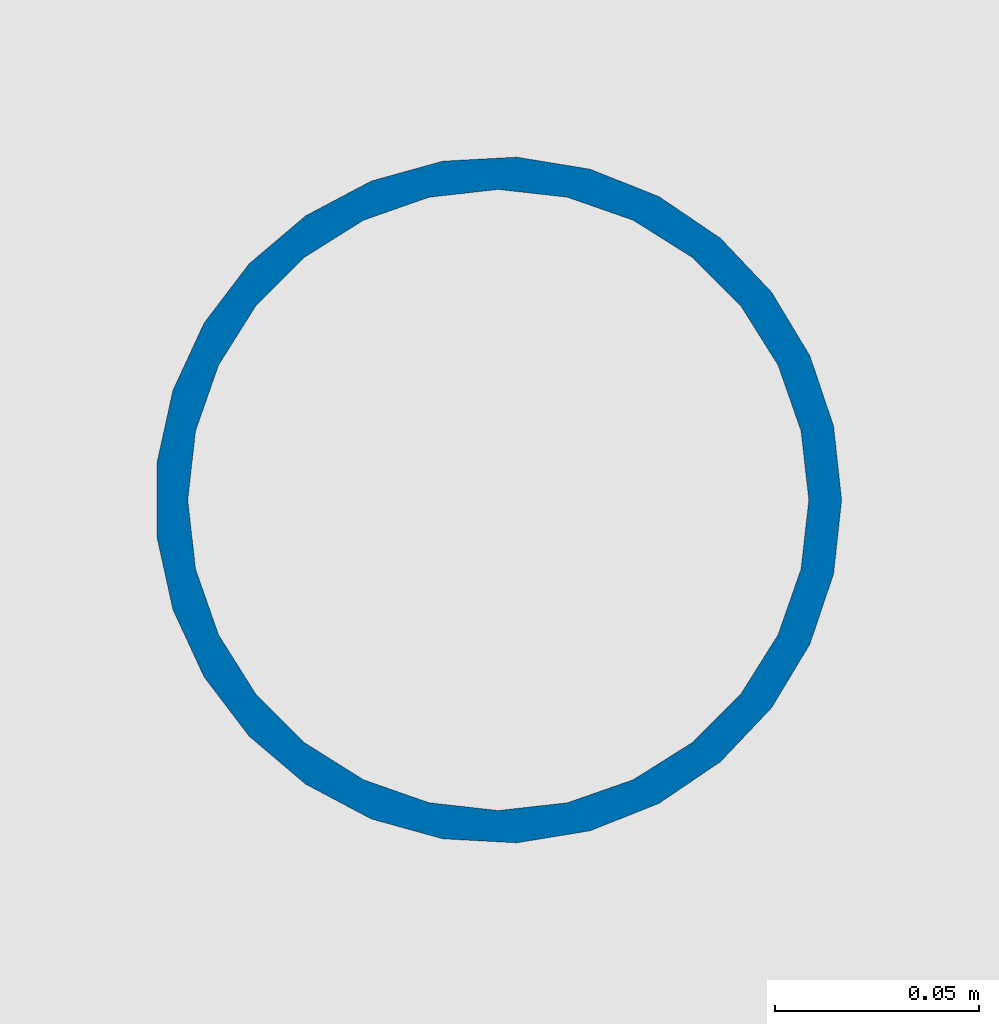
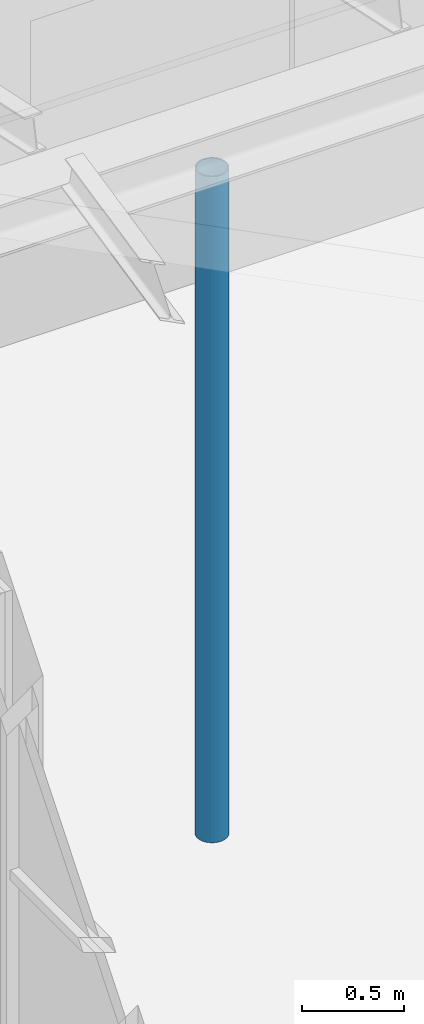
# One storey, part 11 of 138: 1 column.
"""IFC4 building model written with IfcOpenShell, lengths in metres."""

import ifcopenshell
import ifcopenshell.guid

model = None  # the IFC model being written
_history = None  # IfcOwnerHistory: only IFC2X3 demands one
_inside = {}  # id of a spatial element -> (the spatial element, [elements in it])
_under = {}  # id of a project, library or spatial element -> (it, [spatial elements below it])
_declared = {}  # id of a project -> (the project, [libraries it declares])
_typed = {}  # id of a type object -> (the type object, [elements of that type])
_made_of = {}  # id of a material, layer set ... -> (it, [elements and type objects made of it])


def new_model(schema):
    """Start an empty IFC model of exactly this schema.

    Asked for "IFC4X3", IfcOpenShell would pick the latest addendum, in which some entities
    have other attributes; the version numbers below select the first issue.
    IFC2X3 requires an IfcOwnerHistory on every rooted entity: one is made here for all.
    """
    global model, _history
    if schema == "IFC4X3":
        model = ifcopenshell.file(schema_version=(4, 3, 0, 0))
    else:
        model = ifcopenshell.file(schema=schema)
    _inside.clear()
    _under.clear()
    _declared.clear()
    _typed.clear()
    _made_of.clear()
    _history = None
    if model.schema == "IFC2X3":
        org = make("IfcOrganization", Name="unknown")
        user = make(
            "IfcPersonAndOrganization",
            ThePerson=make("IfcPerson", FamilyName="unknown"),
            TheOrganization=org,
        )
        app = make(
            "IfcApplication",
            ApplicationDeveloper=org,
            Version="unknown",
            ApplicationFullName="unknown",
            ApplicationIdentifier="unknown",
        )
        _history = make(
            "IfcOwnerHistory",
            OwningUser=user,
            OwningApplication=app,
            ChangeAction="ADDED",
            CreationDate=0,
        )
    return model


def make(cls, **values):
    """One entity of the class cls with the attributes given. An attribute that is None is left unset."""
    return model.create_entity(
        cls, **{name: value for name, value in values.items() if value is not None}
    )


def rooted(cls, **values):
    """An entity with a GlobalId (a new one), such as an element, a storey or a relation."""
    return make(cls, GlobalId=ifcopenshell.guid.new(), OwnerHistory=_history, **values)


def si_unit(unit_type, name, prefix=None):
    """IfcSIUnit, for example si_unit("LENGTHUNIT", "METRE", prefix="MILLI")."""
    return make("IfcSIUnit", UnitType=unit_type, Prefix=prefix, Name=name)


def assignment(units):
    """IfcUnitAssignment: the units of a project."""
    return None if units is None else make("IfcUnitAssignment", Units=units)


def point(xyz):
    """IfcCartesianPoint."""
    return None if xyz is None else make("IfcCartesianPoint", Coordinates=xyz)


def direction(xyz):
    """IfcDirection."""
    return None if xyz is None else make("IfcDirection", DirectionRatios=xyz)


def frame(location, z_axis=None, x_axis=None):
    """IfcAxis2Placement3D, a coordinate frame: its origin and axes. An axis left out is left unset."""
    return make(
        "IfcAxis2Placement3D",
        Location=point(location),
        Axis=direction(z_axis),
        RefDirection=direction(x_axis),
    )


def frame_2d(location, x_axis=None):
    """IfcAxis2Placement2D, a coordinate frame in the plane: its origin and x axis."""
    return make(
        "IfcAxis2Placement2D", Location=point(location), RefDirection=direction(x_axis)
    )


def origin():
    """The frame at (0, 0, 0) with its axes left unset."""
    return frame((0.0, 0.0, 0.0))


def origin_2d():
    """The frame at (0, 0) in the plane with its x axis left unset."""
    return frame_2d((0.0, 0.0))


def place(relative_to, where):
    """IfcLocalPlacement: puts the frame where relative to a parent placement (None: the world)."""
    return make(
        "IfcLocalPlacement", PlacementRelTo=relative_to, RelativePlacement=where
    )


def context(
    kind, dimensions, precision=None, world=None, true_north=None, identifier=None
):
    """IfcGeometricRepresentationContext, for example the 3D "Model" context."""
    return make(
        "IfcGeometricRepresentationContext",
        ContextIdentifier=identifier,
        ContextType=kind,
        CoordinateSpaceDimension=dimensions,
        Precision=precision,
        WorldCoordinateSystem=world,
        TrueNorth=true_north,
    )


def subcontext(parent, identifier, kind, view, scale=None):
    """IfcGeometricRepresentationSubContext, for example "Body" below "Model"."""
    return make(
        "IfcGeometricRepresentationSubContext",
        ContextIdentifier=identifier,
        ContextType=kind,
        ParentContext=parent,
        TargetScale=scale,
        TargetView=view,
    )


def project(units=None, contexts=None):
    """IfcProject with its units and contexts."""
    return rooted(
        "IfcProject",
        Name="project",
        RepresentationContexts=contexts,
        UnitsInContext=assignment(units),
    )


def spatial(cls, under=None, at=None, **own):
    """A site, building, storey or space (cls), placed at a placement, below another one or the project."""
    s = rooted(cls, ObjectPlacement=at, **own)
    if under is not None:
        _under.setdefault(under.id(), (under, []))[1].append(s)
    return s


def profile(cls, at=None, kind="AREA", **sizes):
    """A parametric profile (cls). Its sizes go by their IFC names, for example OverallWidth=200.0."""
    return make(cls, ProfileType=kind, Position=at, **sizes)


def hollow_circle(**sizes):
    """IfcCircleHollowProfileDef."""
    return profile("IfcCircleHollowProfileDef", **sizes)


def extrude(swept, where, along, depth):
    """IfcExtrudedAreaSolid: the profile swept, set in the frame where, extruded along a direction by depth."""
    return make(
        "IfcExtrudedAreaSolid",
        SweptArea=swept,
        Position=where,
        ExtrudedDirection=direction(along),
        Depth=depth,
    )


def shape(context_of_items, identifier, shape_type, items):
    """IfcShapeRepresentation: the items that make up one representation, for example the "Body"."""
    return make(
        "IfcShapeRepresentation",
        ContextOfItems=context_of_items,
        RepresentationIdentifier=identifier,
        RepresentationType=shape_type,
        Items=items,
    )


def material(Name=None, Category=None):
    """IfcMaterial."""
    return make("IfcMaterial", Name=Name, Category=Category)


def material_profile(
    of_material, cross_section, Name=None, Category=None, Priority=None
):
    """IfcMaterialProfile: a cross section and its material."""
    return make(
        "IfcMaterialProfile",
        Name=Name,
        Material=of_material,
        Profile=cross_section,
        Priority=Priority,
        Category=Category,
    )


def profile_set(profiles, Name=None, composite=None):
    """IfcMaterialProfileSet."""
    return make(
        "IfcMaterialProfileSet",
        Name=Name,
        MaterialProfiles=profiles,
        CompositeProfile=composite,
    )


def made_of(thing, what):
    """Note that an element or type object is made of a material, layer set ...; save() writes the relation."""
    if what is not None:
        _made_of.setdefault(what.id(), (what, []))[1].append(thing)
    return thing


def type_object(cls, material=None, **own):
    """A type object (cls), such as IfcWallType, which elements share."""
    return made_of(rooted(cls, **own), material)


def element(
    cls,
    number,
    at=None,
    inside=None,
    cuts=None,
    type_object=None,
    material=None,
    context=None,
    identifier="Body",
    shape_type=None,
    held_by="IfcProductDefinitionShape",
    body=None,
    shapes=None,
    **own,
):
    """One element of the class cls, such as IfcWall. Its Tag is "e" and its number.

    at: its placement. inside: the storey or other place that contains it. cuts: it is an
    opening in that element (IfcRelVoidsElement). A single representation is given by context,
    identifier, shape_type and body (its items); several are given by shapes. held_by: the class
    of the entity that holds the representations. save() writes the other relations.
    """
    e = rooted(cls, Tag="e%d" % number, ObjectPlacement=at, **own)
    if body is not None:
        shapes = [shape(context, identifier, shape_type, body)]
    if shapes is not None:
        e.Representation = make(held_by, Representations=shapes)
    if inside is not None:
        _inside.setdefault(inside.id(), (inside, []))[1].append(e)
    if cuts is not None:
        rooted(
            "IfcRelVoidsElement", RelatingBuildingElement=cuts, RelatedOpeningElement=e
        )
    if type_object is not None:
        _typed.setdefault(type_object.id(), (type_object, []))[1].append(e)
    return made_of(e, material)


def aggregate(whole, parts):
    """IfcRelAggregates: a whole, such as a stair, and the parts it consists of."""
    return rooted("IfcRelAggregates", RelatingObject=whole, RelatedObjects=parts)


def save(model, path):
    """Write the relations noted so far, then the file.

    IfcRelAggregates (storeys below a building ...), IfcRelContainedInSpatialStructure (elements
    in a storey), IfcRelDefinesByType, IfcRelAssociatesMaterial and IfcRelDeclares: one each for
    every whole, place, type object, material and project.
    """
    for whole, parts in _under.values():
        aggregate(whole, parts)
    for where, things in _inside.values():
        rooted(
            "IfcRelContainedInSpatialStructure",
            RelatedElements=things,
            RelatingStructure=where,
        )
    for kind, things in _typed.values():
        rooted("IfcRelDefinesByType", RelatedObjects=things, RelatingType=kind)
    for what, things in _made_of.values():
        rooted("IfcRelAssociatesMaterial", RelatedObjects=things, RelatingMaterial=what)
    for by, libraries in _declared.values():
        rooted("IfcRelDeclares", RelatingContext=by, RelatedDefinitions=libraries)
    model.write(path)


model = new_model("IFC4")

# Units and contexts
model_context = context("Model", 3, precision=1e-05, world=origin(), true_north=direction((0.0, 1.0)))
body_context = subcontext(model_context, "Body", "Model", "MODEL_VIEW")
ifc_project = project(units=[si_unit("LENGTHUNIT", "METRE"), si_unit("AREAUNIT", "SQUARE_METRE"), si_unit("VOLUMEUNIT", "CUBIC_METRE"), si_unit("PLANEANGLEUNIT", "RADIAN"), si_unit("MASSUNIT", "GRAM", prefix="KILO")], contexts=[model_context])

# Site, building, storey
site_placement = place(None, origin())
site = spatial("IfcSite", under=ifc_project, at=site_placement, CompositionType="ELEMENT")
building_placement = place(site_placement, origin())
building = spatial("IfcBuilding", under=site, at=building_placement, Name="Yavir Park General Hospital", CompositionType="ELEMENT")
storey_placement = place(building_placement, origin())
storey = spatial("IfcBuildingStorey", under=building, at=storey_placement, Name="L00", CompositionType="ELEMENT", Elevation=0.0)

# Column
ifc_material = material(Name="Steel S355", Category="steel")
ifc_material_profile = material_profile(ifc_material, hollow_circle(Radius=0.084228515625, WallThickness=0.008056640625, at=origin_2d()), Name="CHS168.3x8")
ifc_profile_set = profile_set([ifc_material_profile], Name="Steel S355")
column_type = type_object("IfcColumnType", Name="CHS 168.3x8 ridge post", PredefinedType="COLUMN", material=ifc_profile_set)
column_placement = place(storey_placement, frame((77.699951171875, 37.800048828125, 0.0), z_axis=(0.0, 0.0, 1.0), x_axis=(1.0, 0.0, 0.0)))
element("IfcColumn", 1, at=column_placement, inside=storey, type_object=column_type, Name="RF:FOYER:frame:K:0", PredefinedType="COLUMN", context=body_context, shape_type="SweptSolid", body=[
    extrude(hollow_circle(Radius=0.084228515625, WallThickness=0.008056640625, at=origin_2d()), origin(), (0.0, 0.0, 1.0), 3.9990234375),
])

save(model, "model.ifc")
